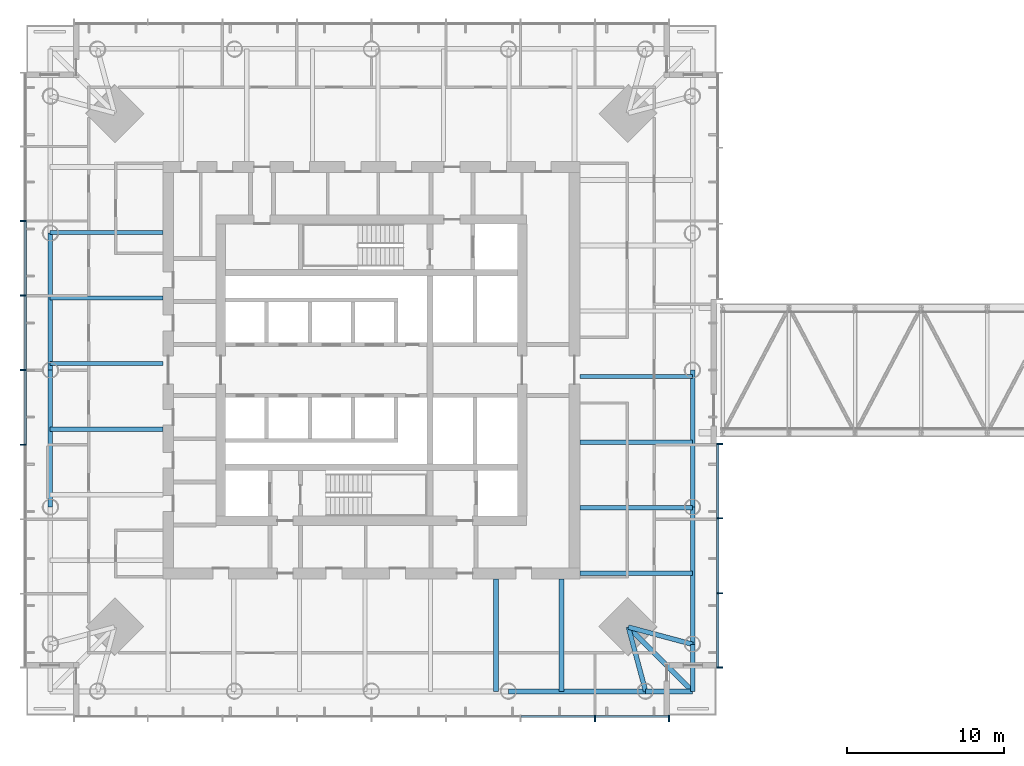
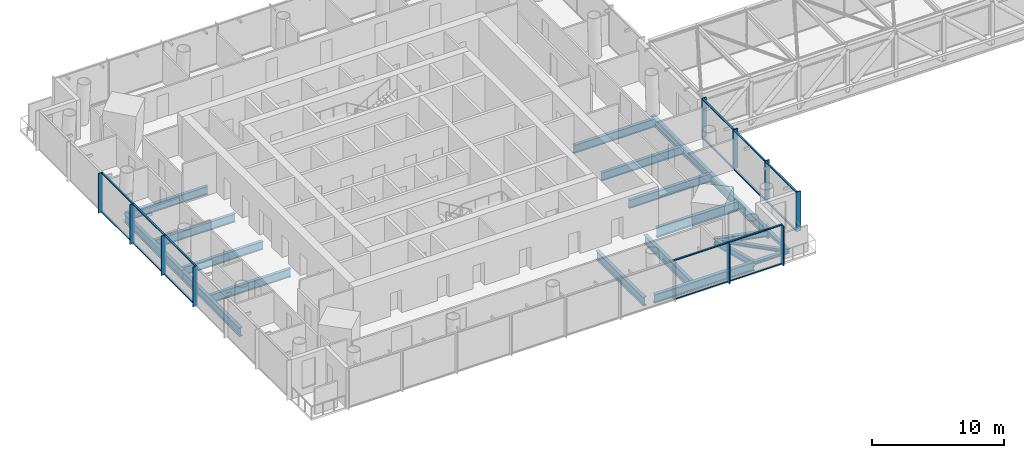
# One storey, part 2 of 19: 26 members, 20 beams, 3 elements without a shape of their own.
"""IFC4 building model written with IfcOpenShell, lengths in metres."""

from ifc_helpers import new_model, si_unit, direction, frame, origin, origin_2d, place, context, subcontext, project, spatial, rectangle, i_section, extrude, material, material_profile, profile_set, type_object, element, aggregate, save


model = new_model("IFC4")

# Units and contexts
model_context = context("Model", 3, precision=1e-05, world=origin(), true_north=direction((0.0, 1.0)))
body_context = subcontext(model_context, "Body", "Model", "MODEL_VIEW")
ifc_project = project(units=[si_unit("LENGTHUNIT", "METRE"), si_unit("AREAUNIT", "SQUARE_METRE"), si_unit("VOLUMEUNIT", "CUBIC_METRE"), si_unit("PLANEANGLEUNIT", "RADIAN"), si_unit("MASSUNIT", "GRAM", prefix="KILO")], contexts=[model_context])

# Site, building, storey
site_placement = place(None, origin())
site = spatial("IfcSite", under=ifc_project, at=site_placement, CompositionType="ELEMENT")
building_placement = place(site_placement, origin())
building = spatial("IfcBuilding", under=site, at=building_placement, Name="Ostroluk Exchange", CompositionType="ELEMENT")
storey_placement = place(building_placement, frame((0.0, 0.0, 131.199951171875)))
storey = spatial("IfcBuildingStorey", under=building, at=storey_placement, Name="L33", CompositionType="ELEMENT", Elevation=131.199951171875)

# Beams
ifc_material_1 = material(Name="Steel S355", Category="steel")
ifc_material_profile_1 = material_profile(ifc_material_1, i_section(OverallWidth=0.300048828125, OverallDepth=0.300048828125, WebThickness=0.010986328125, FlangeThickness=0.01904296875, FilletRadius=0.027099609375, at=origin_2d()), Name="HEB 300")
ifc_profile_set_1 = profile_set([ifc_material_profile_1], Name="Steel S355")
beam_type_1 = type_object("IfcBeamType", Name="Balcony beam HEB 300", PredefinedType="BEAM", material=ifc_profile_set_1)
for number, where, z_axis, x_axis, name in (
    (1, (62.478515625, 25.521484375, -0.329833984375), (1.0, 0.0, 0.0), (0.0, 1.0, 0.0), "T1 south balcony beam a"),
    (2, (65.478515625, 28.521484375, -0.329833984375), (0.0, -1.0, 0.0), (1.0, 0.0, 0.0), "T1 south balcony beam b"),
):
    element("IfcBeam", number, at=place(storey_placement, frame(where, z_axis=z_axis, x_axis=x_axis)), inside=storey, type_object=beam_type_1, Name=name, PredefinedType="BEAM", context=body_context, shape_type="SweptSolid", body=[
        extrude(i_section(OverallWidth=0.300048828125, OverallDepth=0.300048828125, WebThickness=0.010986328125, FlangeThickness=0.01904296875, FilletRadius=0.027099609375, at=origin_2d()), origin(), (0.0, 0.0, 1.0), 3.0),
    ])
beam_1_placement = place(storey_placement, frame((61.378662109375, 29.621337890625, -0.329833984375), z_axis=(0.707106781187, -0.707106781187, 0.0), x_axis=(0.707106781187, 0.707106781187, 0.0)))
element("IfcBeam", 3, at=beam_1_placement, inside=storey, type_object=beam_type_1, Name="T1 south balcony beam c", PredefinedType="BEAM", context=body_context, shape_type="SweptSolid", body=[
    extrude(i_section(OverallWidth=0.300048828125, OverallDepth=0.300048828125, WebThickness=0.010986328125, FlangeThickness=0.01904296875, FilletRadius=0.027099609375, at=origin_2d()), origin(), (0.0, 0.0, 1.0), 5.798095703125),
])
ifc_material_2 = material(Name="Steel S355", Category="steel")
ifc_material_profile_2 = material_profile(ifc_material_2, i_section(OverallWidth=0.300048828125, OverallDepth=0.550048828125, WebThickness=0.014892578125, FlangeThickness=0.029052734375, FilletRadius=0.027099609375, at=origin_2d()), Name="HEB 550")
ifc_profile_set_2 = profile_set([ifc_material_profile_2], Name="Steel S355")
beam_type_2 = type_object("IfcBeamType", Name="Corner edge beam HEB 550", PredefinedType="SPANDREL", material=ifc_profile_set_2)
for number, where, z_axis, x_axis, name in (
    (4, (61.378662109375, 29.621337890625, -0.454833984375), (0.259105011038, -0.965849156574, 0.0), (0.965849156574, 0.259105011038, 0.0), "T1 south corner edge beam a"),
    (5, (61.378662109375, 29.621337890625, -0.454833984375), (0.965849156574, -0.259105011038, 0.0), (0.259105011038, 0.965849156574, 0.0), "T1 south corner edge beam b"),
):
    element("IfcBeam", number, at=place(storey_placement, frame(where, z_axis=z_axis, x_axis=x_axis)), inside=storey, type_object=beam_type_2, Name=name, PredefinedType="SPANDREL", context=body_context, shape_type="SweptSolid", body=[
        extrude(i_section(OverallWidth=0.300048828125, OverallDepth=0.550048828125, WebThickness=0.014892578125, FlangeThickness=0.029052734375, FilletRadius=0.027099609375, at=origin_2d()), origin(), (0.0, 0.0, 1.0), 4.244873046875),
    ])
ifc_material_3 = material(Name="Steel S355", Category="steel")
ifc_material_profile_3 = material_profile(ifc_material_3, i_section(OverallWidth=0.302978515625, OverallDepth=0.81396484375, WebThickness=0.02099609375, FlangeThickness=0.0400390625, FilletRadius=0.030029296875, at=origin_2d()), Name="HEM 800")
ifc_profile_set_3 = profile_set([ifc_material_profile_3], Name="Steel S355")
beam_type_3 = type_object("IfcBeamType", Name="Floor beam HEM 800", PredefinedType="BEAM", material=ifc_profile_set_3)
for number, where, z_axis, x_axis, name in (
    (6, (52.94287109375, 32.699951171875, -0.5869140625), (0.0, -1.0, 0.0), (1.0, 0.0, 0.0), "T1 south floor beam 5"),
    (7, (57.121337890625, 32.699951171875, -0.5869140625), (0.0, -1.0, 0.0), (1.0, 0.0, 0.0), "T1 south floor beam 6"),
):
    element("IfcBeam", number, at=place(storey_placement, frame(where, z_axis=z_axis, x_axis=x_axis)), inside=storey, type_object=beam_type_3, Name=name, PredefinedType="BEAM", context=body_context, shape_type="SweptSolid", body=[
        extrude(i_section(OverallWidth=0.302978515625, OverallDepth=0.81396484375, WebThickness=0.02099609375, FlangeThickness=0.0400390625, FilletRadius=0.030029296875, at=origin_2d()), origin(), (0.0, 0.0, 1.0), 7.178466796875),
    ])
ifc_material_4 = material(Name="Steel S355", Category="steel")
ifc_material_profile_4 = material_profile(ifc_material_4, i_section(OverallWidth=0.26708984375, OverallDepth=0.761962890625, WebThickness=0.014404296875, FlangeThickness=0.021484375, FilletRadius=0.01708984375, at=origin_2d()), Name="IPE 750x173")
ifc_profile_set_4 = profile_set([ifc_material_profile_4], Name="Steel S355")
beam_type_4 = type_object("IfcBeamType", Name="Floor beam IPE 750x173", PredefinedType="BEAM", material=ifc_profile_set_4)
for number, where, z_axis, x_axis, name in (
    (8, (58.300048828125, 37.228515625, -0.56103515625), (1.0, 0.0, 0.0), (0.0, 1.0, 0.0), "T1 east floor beam 1"),
    (9, (58.300048828125, 41.4072265625, -0.56103515625), (1.0, 0.0, 0.0), (0.0, 1.0, 0.0), "T1 east floor beam 2"),
    (10, (58.300048828125, 45.585693359375, -0.56103515625), (1.0, 0.0, 0.0), (0.0, 1.0, 0.0), "T1 east floor beam 3"),
    (11, (31.699951171875, 54.771484375, -0.56103515625), (-1.0, 0.0, 0.0), (0.0, -1.0, 0.0), "T1 west floor beam 1"),
    (12, (31.699951171875, 50.5927734375, -0.56103515625), (-1.0, 0.0, 0.0), (0.0, -1.0, 0.0), "T1 west floor beam 2"),
    (13, (31.699951171875, 46.414306640625, -0.56103515625), (-1.0, 0.0, 0.0), (0.0, -1.0, 0.0), "T1 west floor beam 3"),
    (14, (31.699951171875, 42.235595703125, -0.56103515625), (-1.0, 0.0, 0.0), (0.0, -1.0, 0.0), "T1 west floor beam 4"),
):
    element("IfcBeam", number, at=place(storey_placement, frame(where, z_axis=z_axis, x_axis=x_axis)), inside=storey, type_object=beam_type_4, Name=name, PredefinedType="BEAM", context=body_context, shape_type="SweptSolid", body=[
        extrude(i_section(OverallWidth=0.26708984375, OverallDepth=0.761962890625, WebThickness=0.014404296875, FlangeThickness=0.021484375, FilletRadius=0.01708984375, at=origin_2d()), origin(), (0.0, 0.0, 1.0), 7.178466796875),
    ])
ifc_material_5 = material(Name="Steel S355", Category="steel")
ifc_material_profile_5 = material_profile(ifc_material_5, i_section(OverallWidth=0.300048828125, OverallDepth=0.89990234375, WebThickness=0.0185546875, FlangeThickness=0.034912109375, FilletRadius=0.030029296875, at=origin_2d()), Name="HEB 900")
ifc_profile_set_5 = profile_set([ifc_material_profile_5], Name="Steel S355")
beam_type_5 = type_object("IfcBeamType", Name="Girder HEB 900", PredefinedType="BEAM", material=ifc_profile_set_5)
beam_2_placement = place(storey_placement, frame((58.300048828125, 33.050048828125, -0.6298828125), z_axis=(1.0, 0.0, 0.0), x_axis=(0.0, 1.0, 0.0)))
element("IfcBeam", 15, at=beam_2_placement, inside=storey, type_object=beam_type_5, Name="T1 south girder", PredefinedType="BEAM", context=body_context, shape_type="SweptSolid", body=[
    extrude(i_section(OverallWidth=0.300048828125, OverallDepth=0.89990234375, WebThickness=0.0185546875, FlangeThickness=0.034912109375, FilletRadius=0.030029296875, at=origin_2d()), origin(), (0.0, 0.0, 1.0), 7.178466796875),
])
ifc_material_6 = material(Name="Steel S355", Category="steel")
ifc_material_profile_6 = material_profile(ifc_material_6, i_section(OverallWidth=0.300048828125, OverallDepth=0.800048828125, WebThickness=0.017578125, FlangeThickness=0.032958984375, FilletRadius=0.030029296875, at=origin_2d()), Name="HEB 800")
ifc_profile_set_6 = profile_set([ifc_material_profile_6], Name="Steel S355")
beam_type_6 = type_object("IfcBeamType", Name="Moment-connected edge beam HEB 800", PredefinedType="SPANDREL", material=ifc_profile_set_6)
for number, where, z_axis, x_axis, name in (
    (16, (65.478515625, 28.521484375, -0.579833984375), (0.0, 1.0, 0.0), (-1.0, 0.0, 0.0), "T1 east edge beam 1"),
    (17, (65.478515625, 37.2607421875, -0.579833984375), (0.0, 1.0, 0.0), (-1.0, 0.0, 0.0), "T1 east edge beam 2"),
    (18, (24.521484375, 54.7392578125, -0.579833984375), (0.0, -1.0, 0.0), (1.0, 0.0, 0.0), "T1 west edge beam 2"),
    (19, (24.521484375, 46.0, -0.579833984375), (0.0, -1.0, 0.0), (1.0, 0.0, 0.0), "T1 west edge beam 3"),
    (20, (53.7392578125, 25.521484375, -0.579833984375), (1.0, 0.0, 0.0), (0.0, 1.0, 0.0), "T1 south edge beam 4"),
):
    element("IfcBeam", number, at=place(storey_placement, frame(where, z_axis=z_axis, x_axis=x_axis)), inside=storey, type_object=beam_type_6, Name=name, PredefinedType="SPANDREL", context=body_context, shape_type="SweptSolid", body=[
        extrude(i_section(OverallWidth=0.300048828125, OverallDepth=0.800048828125, WebThickness=0.017578125, FlangeThickness=0.032958984375, FilletRadius=0.030029296875, at=origin_2d()), origin(), (0.0, 0.0, 1.0), 8.7392578125),
    ])

# Curtain wall, members
ifc_material_7 = material(Name="Laminated clear glass", Category="glass")
curtain_wall_type = type_object("IfcCurtainWallType", Name="Office tower facade", PredefinedType="USERDEFINED", material=ifc_material_7)
curtain_wall_1_placement = place(storey_placement, origin())
curtain_wall_1 = element("IfcCurtainWall", 21, at=curtain_wall_1_placement, inside=storey, type_object=curtain_wall_type, Name="Office tower south facade L33", ObjectType="UNITISED CURTAIN WALL", PredefinedType="USERDEFINED")
ifc_material_8 = material(Name="Aluminium mullion", Category="aluminium")
ifc_material_profile_7 = material_profile(ifc_material_8, rectangle(XDim=0.14990234375, YDim=0.080078125, at=origin_2d()), Name="Sill transom 80 x 150")
ifc_profile_set_7 = profile_set([ifc_material_profile_7], Name="Aluminium mullion")
member_type_1 = type_object("IfcMemberType", Name="Sill transom 80 x 150", PredefinedType="USERDEFINED", material=ifc_profile_set_7)
member_1_placement = place(storey_placement, frame((54.5400390625, 23.925048828125, 0.0400390625), z_axis=(1.0, 0.0, 0.0), x_axis=(0.0, 1.0, 0.0)))
member_1 = element("IfcMember", 22, at=member_1_placement, type_object=member_type_1, Name="CW-O1 transom 7.1", ObjectType="TRANSOM", PredefinedType="USERDEFINED", context=body_context, shape_type="SweptSolid", body=[
    extrude(rectangle(XDim=0.14990234375, YDim=0.080078125, at=origin_2d()), origin(), (0.0, 0.0, 1.0), 4.669921875),
])
member_2_placement = place(storey_placement, frame((54.5400390625, 23.925048828125, 3.610107421875), z_axis=(1.0, 0.0, 0.0), x_axis=(0.0, 1.0, 0.0)))
member_2 = element("IfcMember", 23, at=member_2_placement, type_object=member_type_1, Name="CW-O1 transom 7.2", ObjectType="TRANSOM", PredefinedType="USERDEFINED", context=body_context, shape_type="SweptSolid", body=[
    extrude(rectangle(XDim=0.14990234375, YDim=0.080078125, at=origin_2d()), origin(), (0.0, 0.0, 1.0), 4.669921875),
])
member_3_placement = place(storey_placement, frame((59.2900390625, 23.925048828125, 0.0400390625), z_axis=(1.0, 0.0, 0.0), x_axis=(0.0, 1.0, 0.0)))
member_3 = element("IfcMember", 24, at=member_3_placement, type_object=member_type_1, Name="CW-O1 transom 8.1", ObjectType="TRANSOM", PredefinedType="USERDEFINED", context=body_context, shape_type="SweptSolid", body=[
    extrude(rectangle(XDim=0.14990234375, YDim=0.080078125, at=origin_2d()), origin(), (0.0, 0.0, 1.0), 4.6298828125),
])
member_4_placement = place(storey_placement, frame((59.2900390625, 23.925048828125, 3.610107421875), z_axis=(1.0, 0.0, 0.0), x_axis=(0.0, 1.0, 0.0)))
member_4 = element("IfcMember", 25, at=member_4_placement, type_object=member_type_1, Name="CW-O1 transom 8.2", ObjectType="TRANSOM", PredefinedType="USERDEFINED", context=body_context, shape_type="SweptSolid", body=[
    extrude(rectangle(XDim=0.14990234375, YDim=0.080078125, at=origin_2d()), origin(), (0.0, 0.0, 1.0), 4.6298828125),
])

curtain_wall_2_placement = place(storey_placement, origin())
curtain_wall_2 = element("IfcCurtainWall", 26, at=curtain_wall_2_placement, inside=storey, type_object=curtain_wall_type, Name="Office tower east facade L33 part 1", ObjectType="UNITISED CURTAIN WALL", PredefinedType="USERDEFINED")
member_5_placement = place(storey_placement, frame((67.074951171875, 27.080078125, 0.0400390625), z_axis=(0.0, 1.0, 0.0), x_axis=(-1.0, 0.0, 0.0)))
member_5 = element("IfcMember", 27, at=member_5_placement, type_object=member_type_1, Name="CW-O1 transom 1.1", ObjectType="TRANSOM", PredefinedType="USERDEFINED", context=body_context, shape_type="SweptSolid", body=[
    extrude(rectangle(XDim=0.14990234375, YDim=0.080078125, at=origin_2d()), origin(), (0.0, 0.0, 1.0), 4.655029296875),
])
member_6_placement = place(storey_placement, frame((67.074951171875, 27.080078125, 3.610107421875), z_axis=(0.0, 1.0, 0.0), x_axis=(-1.0, 0.0, 0.0)))
member_6 = element("IfcMember", 28, at=member_6_placement, type_object=member_type_1, Name="CW-O1 transom 1.2", ObjectType="TRANSOM", PredefinedType="USERDEFINED", context=body_context, shape_type="SweptSolid", body=[
    extrude(rectangle(XDim=0.14990234375, YDim=0.080078125, at=origin_2d()), origin(), (0.0, 0.0, 1.0), 4.655029296875),
])
member_7_placement = place(storey_placement, frame((67.074951171875, 31.81494140625, 0.0400390625), z_axis=(0.0, 1.0, 0.0), x_axis=(-1.0, 0.0, 0.0)))
member_7 = element("IfcMember", 29, at=member_7_placement, type_object=member_type_1, Name="CW-O1 transom 2.1", ObjectType="TRANSOM", PredefinedType="USERDEFINED", context=body_context, shape_type="SweptSolid", body=[
    extrude(rectangle(XDim=0.14990234375, YDim=0.080078125, at=origin_2d()), origin(), (0.0, 0.0, 1.0), 4.695068359375),
])
member_8_placement = place(storey_placement, frame((67.074951171875, 31.81494140625, 3.610107421875), z_axis=(0.0, 1.0, 0.0), x_axis=(-1.0, 0.0, 0.0)))
member_8 = element("IfcMember", 30, at=member_8_placement, type_object=member_type_1, Name="CW-O1 transom 2.2", ObjectType="TRANSOM", PredefinedType="USERDEFINED", context=body_context, shape_type="SweptSolid", body=[
    extrude(rectangle(XDim=0.14990234375, YDim=0.080078125, at=origin_2d()), origin(), (0.0, 0.0, 1.0), 4.695068359375),
])
member_9_placement = place(storey_placement, frame((67.074951171875, 36.590087890625, 0.0400390625), z_axis=(0.0, 1.0, 0.0), x_axis=(-1.0, 0.0, 0.0)))
member_9 = element("IfcMember", 31, at=member_9_placement, type_object=member_type_1, Name="CW-O1 transom 3.1", ObjectType="TRANSOM", PredefinedType="USERDEFINED", context=body_context, shape_type="SweptSolid", body=[
    extrude(rectangle(XDim=0.14990234375, YDim=0.080078125, at=origin_2d()), origin(), (0.0, 0.0, 1.0), 4.655029296875),
])
member_10_placement = place(storey_placement, frame((67.074951171875, 36.590087890625, 3.610107421875), z_axis=(0.0, 1.0, 0.0), x_axis=(-1.0, 0.0, 0.0)))
member_10 = element("IfcMember", 32, at=member_10_placement, type_object=member_type_1, Name="CW-O1 transom 3.2", ObjectType="TRANSOM", PredefinedType="USERDEFINED", context=body_context, shape_type="SweptSolid", body=[
    extrude(rectangle(XDim=0.14990234375, YDim=0.080078125, at=origin_2d()), origin(), (0.0, 0.0, 1.0), 4.655029296875),
])

curtain_wall_3_placement = place(storey_placement, origin())
curtain_wall_3 = element("IfcCurtainWall", 33, at=curtain_wall_3_placement, inside=storey, type_object=curtain_wall_type, Name="Office tower west facade L33", ObjectType="UNITISED CURTAIN WALL", PredefinedType="USERDEFINED")
member_11_placement = place(storey_placement, frame((22.925048828125, 55.4599609375, 0.0400390625), z_axis=(0.0, -1.0, 0.0), x_axis=(1.0, 0.0, 0.0)))
member_11 = element("IfcMember", 34, at=member_11_placement, type_object=member_type_1, Name="CW-O1 transom 3.1", ObjectType="TRANSOM", PredefinedType="USERDEFINED", context=body_context, shape_type="SweptSolid", body=[
    extrude(rectangle(XDim=0.14990234375, YDim=0.080078125, at=origin_2d()), origin(), (0.0, 0.0, 1.0), 4.669921875),
])
member_12_placement = place(storey_placement, frame((22.925048828125, 55.4599609375, 3.610107421875), z_axis=(0.0, -1.0, 0.0), x_axis=(1.0, 0.0, 0.0)))
member_12 = element("IfcMember", 35, at=member_12_placement, type_object=member_type_1, Name="CW-O1 transom 3.2", ObjectType="TRANSOM", PredefinedType="USERDEFINED", context=body_context, shape_type="SweptSolid", body=[
    extrude(rectangle(XDim=0.14990234375, YDim=0.080078125, at=origin_2d()), origin(), (0.0, 0.0, 1.0), 4.669921875),
])
member_13_placement = place(storey_placement, frame((22.925048828125, 50.7099609375, 0.0400390625), z_axis=(0.0, -1.0, 0.0), x_axis=(1.0, 0.0, 0.0)))
member_13 = element("IfcMember", 36, at=member_13_placement, type_object=member_type_1, Name="CW-O1 transom 4.1", ObjectType="TRANSOM", PredefinedType="USERDEFINED", context=body_context, shape_type="SweptSolid", body=[
    extrude(rectangle(XDim=0.14990234375, YDim=0.080078125, at=origin_2d()), origin(), (0.0, 0.0, 1.0), 4.669921875),
])
member_14_placement = place(storey_placement, frame((22.925048828125, 50.7099609375, 3.610107421875), z_axis=(0.0, -1.0, 0.0), x_axis=(1.0, 0.0, 0.0)))
member_14 = element("IfcMember", 37, at=member_14_placement, type_object=member_type_1, Name="CW-O1 transom 4.2", ObjectType="TRANSOM", PredefinedType="USERDEFINED", context=body_context, shape_type="SweptSolid", body=[
    extrude(rectangle(XDim=0.14990234375, YDim=0.080078125, at=origin_2d()), origin(), (0.0, 0.0, 1.0), 4.669921875),
])
member_15_placement = place(storey_placement, frame((22.925048828125, 45.9599609375, 0.0400390625), z_axis=(0.0, -1.0, 0.0), x_axis=(1.0, 0.0, 0.0)))
member_15 = element("IfcMember", 38, at=member_15_placement, type_object=member_type_1, Name="CW-O1 transom 5.1", ObjectType="TRANSOM", PredefinedType="USERDEFINED", context=body_context, shape_type="SweptSolid", body=[
    extrude(rectangle(XDim=0.14990234375, YDim=0.080078125, at=origin_2d()), origin(), (0.0, 0.0, 1.0), 4.669921875),
])
member_16_placement = place(storey_placement, frame((22.925048828125, 45.9599609375, 3.610107421875), z_axis=(0.0, -1.0, 0.0), x_axis=(1.0, 0.0, 0.0)))
member_16 = element("IfcMember", 39, at=member_16_placement, type_object=member_type_1, Name="CW-O1 transom 5.2", ObjectType="TRANSOM", PredefinedType="USERDEFINED", context=body_context, shape_type="SweptSolid", body=[
    extrude(rectangle(XDim=0.14990234375, YDim=0.080078125, at=origin_2d()), origin(), (0.0, 0.0, 1.0), 4.669921875),
])

# Member
ifc_material_9 = material(Name="Aluminium mullion with limestone facing", Category="masonry")
ifc_material_profile_8 = material_profile(ifc_material_9, rectangle(XDim=0.39990234375, YDim=0.080078125, at=origin_2d()), Name="Tracery mullion 80 x 400")
ifc_profile_set_8 = profile_set([ifc_material_profile_8], Name="Aluminium mullion with limestone facing")
member_type_2 = type_object("IfcMemberType", Name="Tracery mullion 80 x 400", PredefinedType="MULLION", material=ifc_profile_set_8)
member_17_placement = place(storey_placement, frame((59.25, 23.800048828125, 0.0), z_axis=(0.0, 0.0, 1.0), x_axis=(0.0, 1.0, 0.0)))
member_17 = element("IfcMember", 40, at=member_17_placement, type_object=member_type_2, Name="CW-O1 mullion 8", PredefinedType="MULLION", context=body_context, shape_type="SweptSolid", body=[
    extrude(rectangle(XDim=0.39990234375, YDim=0.080078125, at=origin_2d()), origin(), (0.0, 0.0, 1.0), 3.650146484375),
])

member_18_placement = place(storey_placement, frame((63.9599609375, 23.800048828125, 0.0), z_axis=(0.0, 0.0, 1.0), x_axis=(0.0, 1.0, 0.0)))
member_18 = element("IfcMember", 41, at=member_18_placement, type_object=member_type_2, Name="CW-O1 mullion 9", PredefinedType="MULLION", context=body_context, shape_type="SweptSolid", body=[
    extrude(rectangle(XDim=0.39990234375, YDim=0.080078125, at=origin_2d()), origin(), (0.0, 0.0, 1.0), 3.650146484375),
])

aggregate(curtain_wall_1, [member_17, member_18, member_1, member_2, member_3, member_4])

member_19_placement = place(storey_placement, frame((67.199951171875, 27.0400390625, 0.0), z_axis=(0.0, 0.0, 1.0), x_axis=(-1.0, 0.0, 0.0)))
member_19 = element("IfcMember", 42, at=member_19_placement, type_object=member_type_2, Name="CW-O1 mullion 1", PredefinedType="MULLION", context=body_context, shape_type="SweptSolid", body=[
    extrude(rectangle(XDim=0.39990234375, YDim=0.080078125, at=origin_2d()), origin(), (0.0, 0.0, 1.0), 3.650146484375),
])

member_20_placement = place(storey_placement, frame((67.199951171875, 31.77490234375, 0.0), z_axis=(0.0, 0.0, 1.0), x_axis=(-1.0, 0.0, 0.0)))
member_20 = element("IfcMember", 43, at=member_20_placement, type_object=member_type_2, Name="CW-O1 mullion 2", PredefinedType="MULLION", context=body_context, shape_type="SweptSolid", body=[
    extrude(rectangle(XDim=0.39990234375, YDim=0.080078125, at=origin_2d()), origin(), (0.0, 0.0, 1.0), 3.650146484375),
])

member_21_placement = place(storey_placement, frame((67.199951171875, 36.550048828125, 0.0), z_axis=(0.0, 0.0, 1.0), x_axis=(-1.0, 0.0, 0.0)))
member_21 = element("IfcMember", 44, at=member_21_placement, type_object=member_type_2, Name="CW-O1 mullion 3", PredefinedType="MULLION", context=body_context, shape_type="SweptSolid", body=[
    extrude(rectangle(XDim=0.39990234375, YDim=0.080078125, at=origin_2d()), origin(), (0.0, 0.0, 1.0), 3.650146484375),
])

member_22_placement = place(storey_placement, frame((67.199951171875, 41.284912109375, 0.0), z_axis=(0.0, 0.0, 1.0), x_axis=(-1.0, 0.0, 0.0)))
member_22 = element("IfcMember", 45, at=member_22_placement, type_object=member_type_2, Name="CW-O1 mullion 4", PredefinedType="MULLION", context=body_context, shape_type="SweptSolid", body=[
    extrude(rectangle(XDim=0.39990234375, YDim=0.080078125, at=origin_2d()), origin(), (0.0, 0.0, 1.0), 3.650146484375),
])

aggregate(curtain_wall_2, [member_19, member_20, member_21, member_22, member_5, member_6, member_7, member_8, member_9, member_10])

member_23_placement = place(storey_placement, frame((22.800048828125, 55.5, 0.0), z_axis=(0.0, 0.0, 1.0), x_axis=(1.0, 0.0, 0.0)))
member_23 = element("IfcMember", 46, at=member_23_placement, type_object=member_type_2, Name="CW-O1 mullion 3", PredefinedType="MULLION", context=body_context, shape_type="SweptSolid", body=[
    extrude(rectangle(XDim=0.39990234375, YDim=0.080078125, at=origin_2d()), origin(), (0.0, 0.0, 1.0), 3.650146484375),
])

member_24_placement = place(storey_placement, frame((22.800048828125, 50.75, 0.0), z_axis=(0.0, 0.0, 1.0), x_axis=(1.0, 0.0, 0.0)))
member_24 = element("IfcMember", 47, at=member_24_placement, type_object=member_type_2, Name="CW-O1 mullion 4", PredefinedType="MULLION", context=body_context, shape_type="SweptSolid", body=[
    extrude(rectangle(XDim=0.39990234375, YDim=0.080078125, at=origin_2d()), origin(), (0.0, 0.0, 1.0), 3.650146484375),
])

member_25_placement = place(storey_placement, frame((22.800048828125, 46.0, 0.0), z_axis=(0.0, 0.0, 1.0), x_axis=(1.0, 0.0, 0.0)))
member_25 = element("IfcMember", 48, at=member_25_placement, type_object=member_type_2, Name="CW-O1 mullion 5", PredefinedType="MULLION", context=body_context, shape_type="SweptSolid", body=[
    extrude(rectangle(XDim=0.39990234375, YDim=0.080078125, at=origin_2d()), origin(), (0.0, 0.0, 1.0), 3.650146484375),
])

member_26_placement = place(storey_placement, frame((22.800048828125, 41.25, 0.0), z_axis=(0.0, 0.0, 1.0), x_axis=(1.0, 0.0, 0.0)))
member_26 = element("IfcMember", 49, at=member_26_placement, type_object=member_type_2, Name="CW-O1 mullion 6", PredefinedType="MULLION", context=body_context, shape_type="SweptSolid", body=[
    extrude(rectangle(XDim=0.39990234375, YDim=0.080078125, at=origin_2d()), origin(), (0.0, 0.0, 1.0), 3.650146484375),
])

aggregate(curtain_wall_3, [member_23, member_24, member_25, member_26, member_11, member_12, member_13, member_14, member_15, member_16])

save(model, "model.ifc")
